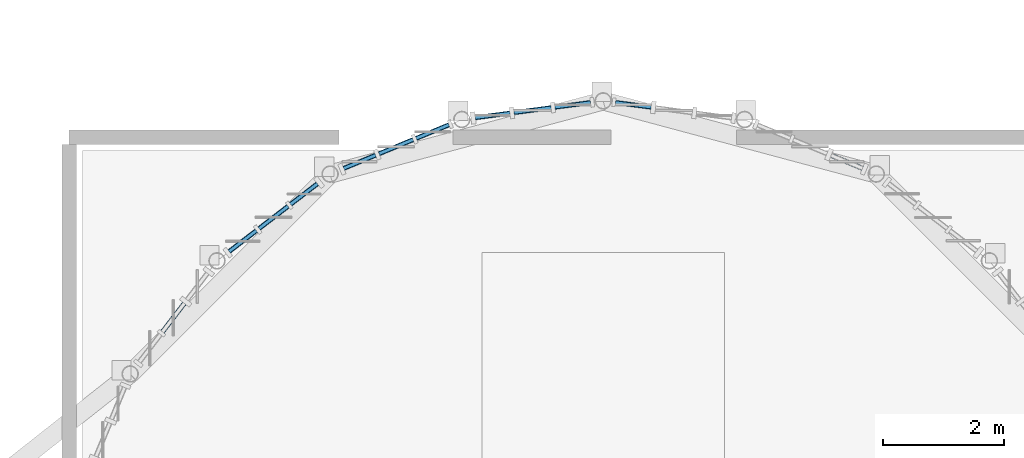
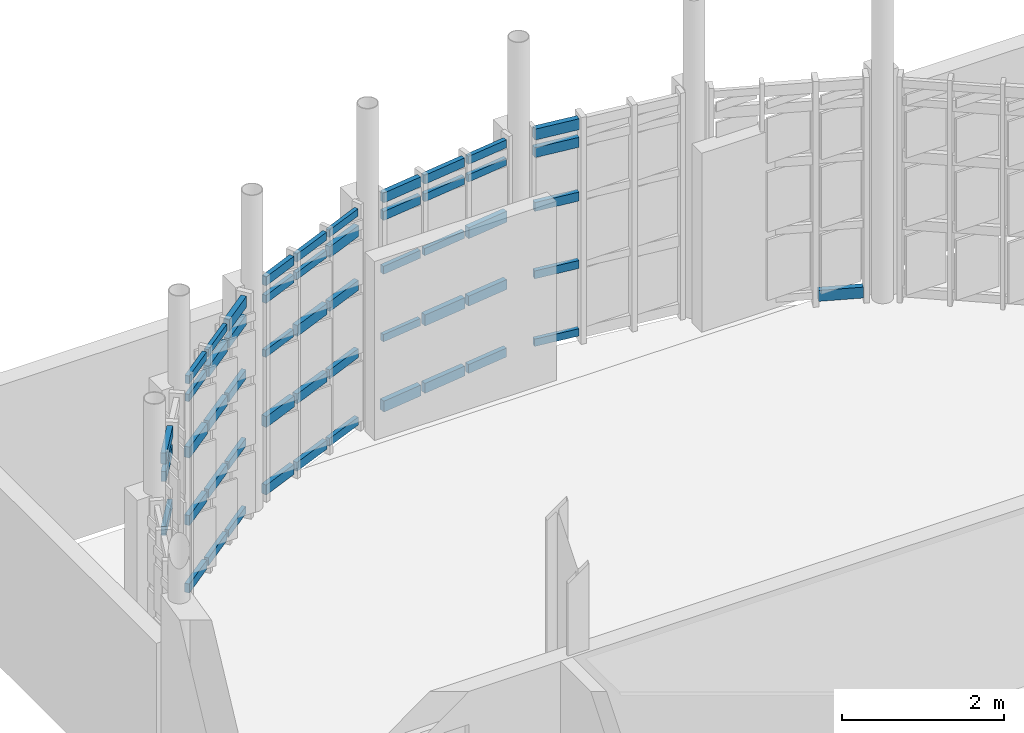
# One storey, part 66 of 128: 54 members, 6 elements without a shape of their own.
"""IFC4 building model written with IfcOpenShell, lengths in metres."""

import ifcopenshell
import ifcopenshell.guid

model = None  # the IFC model being written
_history = None  # IfcOwnerHistory: only IFC2X3 demands one
_inside = {}  # id of a spatial element -> (the spatial element, [elements in it])
_under = {}  # id of a project, library or spatial element -> (it, [spatial elements below it])
_declared = {}  # id of a project -> (the project, [libraries it declares])
_typed = {}  # id of a type object -> (the type object, [elements of that type])
_made_of = {}  # id of a material, layer set ... -> (it, [elements and type objects made of it])


def new_model(schema):
    """Start an empty IFC model of exactly this schema.

    Asked for "IFC4X3", IfcOpenShell would pick the latest addendum, in which some entities
    have other attributes; the version numbers below select the first issue.
    IFC2X3 requires an IfcOwnerHistory on every rooted entity: one is made here for all.
    """
    global model, _history
    if schema == "IFC4X3":
        model = ifcopenshell.file(schema_version=(4, 3, 0, 0))
    else:
        model = ifcopenshell.file(schema=schema)
    _inside.clear()
    _under.clear()
    _declared.clear()
    _typed.clear()
    _made_of.clear()
    _history = None
    if model.schema == "IFC2X3":
        org = make("IfcOrganization", Name="unknown")
        user = make(
            "IfcPersonAndOrganization",
            ThePerson=make("IfcPerson", FamilyName="unknown"),
            TheOrganization=org,
        )
        app = make(
            "IfcApplication",
            ApplicationDeveloper=org,
            Version="unknown",
            ApplicationFullName="unknown",
            ApplicationIdentifier="unknown",
        )
        _history = make(
            "IfcOwnerHistory",
            OwningUser=user,
            OwningApplication=app,
            ChangeAction="ADDED",
            CreationDate=0,
        )
    return model


def make(cls, **values):
    """One entity of the class cls with the attributes given. An attribute that is None is left unset."""
    return model.create_entity(
        cls, **{name: value for name, value in values.items() if value is not None}
    )


def rooted(cls, **values):
    """An entity with a GlobalId (a new one), such as an element, a storey or a relation."""
    return make(cls, GlobalId=ifcopenshell.guid.new(), OwnerHistory=_history, **values)


def si_unit(unit_type, name, prefix=None):
    """IfcSIUnit, for example si_unit("LENGTHUNIT", "METRE", prefix="MILLI")."""
    return make("IfcSIUnit", UnitType=unit_type, Prefix=prefix, Name=name)


def assignment(units):
    """IfcUnitAssignment: the units of a project."""
    return None if units is None else make("IfcUnitAssignment", Units=units)


def point(xyz):
    """IfcCartesianPoint."""
    return None if xyz is None else make("IfcCartesianPoint", Coordinates=xyz)


def direction(xyz):
    """IfcDirection."""
    return None if xyz is None else make("IfcDirection", DirectionRatios=xyz)


def frame(location, z_axis=None, x_axis=None):
    """IfcAxis2Placement3D, a coordinate frame: its origin and axes. An axis left out is left unset."""
    return make(
        "IfcAxis2Placement3D",
        Location=point(location),
        Axis=direction(z_axis),
        RefDirection=direction(x_axis),
    )


def frame_2d(location, x_axis=None):
    """IfcAxis2Placement2D, a coordinate frame in the plane: its origin and x axis."""
    return make(
        "IfcAxis2Placement2D", Location=point(location), RefDirection=direction(x_axis)
    )


def origin():
    """The frame at (0, 0, 0) with its axes left unset."""
    return frame((0.0, 0.0, 0.0))


def origin_2d():
    """The frame at (0, 0) in the plane with its x axis left unset."""
    return frame_2d((0.0, 0.0))


def place(relative_to, where):
    """IfcLocalPlacement: puts the frame where relative to a parent placement (None: the world)."""
    return make(
        "IfcLocalPlacement", PlacementRelTo=relative_to, RelativePlacement=where
    )


def context(
    kind, dimensions, precision=None, world=None, true_north=None, identifier=None
):
    """IfcGeometricRepresentationContext, for example the 3D "Model" context."""
    return make(
        "IfcGeometricRepresentationContext",
        ContextIdentifier=identifier,
        ContextType=kind,
        CoordinateSpaceDimension=dimensions,
        Precision=precision,
        WorldCoordinateSystem=world,
        TrueNorth=true_north,
    )


def subcontext(parent, identifier, kind, view, scale=None):
    """IfcGeometricRepresentationSubContext, for example "Body" below "Model"."""
    return make(
        "IfcGeometricRepresentationSubContext",
        ContextIdentifier=identifier,
        ContextType=kind,
        ParentContext=parent,
        TargetScale=scale,
        TargetView=view,
    )


def project(units=None, contexts=None):
    """IfcProject with its units and contexts."""
    return rooted(
        "IfcProject",
        Name="project",
        RepresentationContexts=contexts,
        UnitsInContext=assignment(units),
    )


def spatial(cls, under=None, at=None, **own):
    """A site, building, storey or space (cls), placed at a placement, below another one or the project."""
    s = rooted(cls, ObjectPlacement=at, **own)
    if under is not None:
        _under.setdefault(under.id(), (under, []))[1].append(s)
    return s


def profile(cls, at=None, kind="AREA", **sizes):
    """A parametric profile (cls). Its sizes go by their IFC names, for example OverallWidth=200.0."""
    return make(cls, ProfileType=kind, Position=at, **sizes)


def rectangle(**sizes):
    """IfcRectangleProfileDef."""
    return profile("IfcRectangleProfileDef", **sizes)


def extrude(swept, where, along, depth):
    """IfcExtrudedAreaSolid: the profile swept, set in the frame where, extruded along a direction by depth."""
    return make(
        "IfcExtrudedAreaSolid",
        SweptArea=swept,
        Position=where,
        ExtrudedDirection=direction(along),
        Depth=depth,
    )


def shape(context_of_items, identifier, shape_type, items):
    """IfcShapeRepresentation: the items that make up one representation, for example the "Body"."""
    return make(
        "IfcShapeRepresentation",
        ContextOfItems=context_of_items,
        RepresentationIdentifier=identifier,
        RepresentationType=shape_type,
        Items=items,
    )


def material(Name=None, Category=None):
    """IfcMaterial."""
    return make("IfcMaterial", Name=Name, Category=Category)


def material_profile(
    of_material, cross_section, Name=None, Category=None, Priority=None
):
    """IfcMaterialProfile: a cross section and its material."""
    return make(
        "IfcMaterialProfile",
        Name=Name,
        Material=of_material,
        Profile=cross_section,
        Priority=Priority,
        Category=Category,
    )


def profile_set(profiles, Name=None, composite=None):
    """IfcMaterialProfileSet."""
    return make(
        "IfcMaterialProfileSet",
        Name=Name,
        MaterialProfiles=profiles,
        CompositeProfile=composite,
    )


def made_of(thing, what):
    """Note that an element or type object is made of a material, layer set ...; save() writes the relation."""
    if what is not None:
        _made_of.setdefault(what.id(), (what, []))[1].append(thing)
    return thing


def type_object(cls, material=None, **own):
    """A type object (cls), such as IfcWallType, which elements share."""
    return made_of(rooted(cls, **own), material)


def element(
    cls,
    number,
    at=None,
    inside=None,
    cuts=None,
    type_object=None,
    material=None,
    context=None,
    identifier="Body",
    shape_type=None,
    held_by="IfcProductDefinitionShape",
    body=None,
    shapes=None,
    **own,
):
    """One element of the class cls, such as IfcWall. Its Tag is "e" and its number.

    at: its placement. inside: the storey or other place that contains it. cuts: it is an
    opening in that element (IfcRelVoidsElement). A single representation is given by context,
    identifier, shape_type and body (its items); several are given by shapes. held_by: the class
    of the entity that holds the representations. save() writes the other relations.
    """
    e = rooted(cls, Tag="e%d" % number, ObjectPlacement=at, **own)
    if body is not None:
        shapes = [shape(context, identifier, shape_type, body)]
    if shapes is not None:
        e.Representation = make(held_by, Representations=shapes)
    if inside is not None:
        _inside.setdefault(inside.id(), (inside, []))[1].append(e)
    if cuts is not None:
        rooted(
            "IfcRelVoidsElement", RelatingBuildingElement=cuts, RelatedOpeningElement=e
        )
    if type_object is not None:
        _typed.setdefault(type_object.id(), (type_object, []))[1].append(e)
    return made_of(e, material)


def aggregate(whole, parts):
    """IfcRelAggregates: a whole, such as a stair, and the parts it consists of."""
    return rooted("IfcRelAggregates", RelatingObject=whole, RelatedObjects=parts)


def save(model, path):
    """Write the relations noted so far, then the file.

    IfcRelAggregates (storeys below a building ...), IfcRelContainedInSpatialStructure (elements
    in a storey), IfcRelDefinesByType, IfcRelAssociatesMaterial and IfcRelDeclares: one each for
    every whole, place, type object, material and project.
    """
    for whole, parts in _under.values():
        aggregate(whole, parts)
    for where, things in _inside.values():
        rooted(
            "IfcRelContainedInSpatialStructure",
            RelatedElements=things,
            RelatingStructure=where,
        )
    for kind, things in _typed.values():
        rooted("IfcRelDefinesByType", RelatedObjects=things, RelatingType=kind)
    for what, things in _made_of.values():
        rooted("IfcRelAssociatesMaterial", RelatedObjects=things, RelatingMaterial=what)
    for by, libraries in _declared.values():
        rooted("IfcRelDeclares", RelatingContext=by, RelatedDefinitions=libraries)
    model.write(path)


model = new_model("IFC4")

# Units and contexts
model_context = context("Model", 3, precision=1e-05, world=origin(), true_north=direction((0.0, 1.0)))
body_context = subcontext(model_context, "Body", "Model", "MODEL_VIEW")
ifc_project = project(units=[si_unit("LENGTHUNIT", "METRE"), si_unit("AREAUNIT", "SQUARE_METRE"), si_unit("VOLUMEUNIT", "CUBIC_METRE"), si_unit("PLANEANGLEUNIT", "RADIAN"), si_unit("MASSUNIT", "GRAM", prefix="KILO")], contexts=[model_context])

# Site, building, storey
site_placement = place(None, origin())
site = spatial("IfcSite", under=ifc_project, at=site_placement, CompositionType="ELEMENT")
building_placement = place(site_placement, origin())
building = spatial("IfcBuilding", under=site, at=building_placement, Name="Serraforn Aerial Cableway Station", CompositionType="ELEMENT")
storey_placement = place(building_placement, frame((0.0, 0.0, 9.0)))
storey = spatial("IfcBuildingStorey", under=building, at=storey_placement, Name="L02", CompositionType="ELEMENT", Elevation=9.0)

# Curtain wall, members
ifc_material_1 = material(Name="Anodised bronze unitised curtain wall")
curtain_wall_type_1 = type_object("IfcCurtainWallType", Name="CW-SYS-7", PredefinedType="USERDEFINED", material=ifc_material_1)
curtain_wall_1_placement = place(storey_placement, origin())
curtain_wall_1 = element("IfcCurtainWall", 1, at=curtain_wall_1_placement, inside=storey, type_object=curtain_wall_type_1, Name="Unitised Curtain Wall CW-AP-L02-R4", ObjectType="UNITISED CURTAIN WALL", PredefinedType="USERDEFINED")
ifc_material_2 = material(Name="Anodised bronze extruded aluminium", Category="aluminium")
ifc_material_profile_1 = material_profile(ifc_material_2, rectangle(XDim=0.054931640625, YDim=0.110107421875, at=origin_2d()), Name="CW TRANSOM 55x110")
ifc_profile_set_1 = profile_set([ifc_material_profile_1], Name="Anodised bronze extruded aluminium")
member_type_1 = type_object("IfcMemberType", Name="CW-TRN-1", PredefinedType="USERDEFINED", material=ifc_profile_set_1)
member_1_placement = place(storey_placement, frame((54.391845703125, 49.634521484375, 0.13671875), z_axis=(-0.793500799504, -0.608569208214, 0.0), x_axis=(0.608569208214, -0.793500799504, 0.0)))
member_1 = element("IfcMember", 2, at=member_1_placement, type_object=member_type_1, Name="Curtain Wall Transom CW-AP-L02-R4-T1-1", ObjectType="TRANSOM", PredefinedType="USERDEFINED", context=body_context, shape_type="SweptSolid", body=[
    extrude(rectangle(XDim=0.054931640625, YDim=0.110107421875, at=origin_2d()), origin(), (0.0, 0.0, 1.0), 0.558349609375),
])
member_2_placement = place(storey_placement, frame((53.908203125, 49.263427734375, 3.283203125), z_axis=(-0.79334569595, -0.608771391178, 0.0), x_axis=(0.608771391178, -0.79334569595, 0.0)))
member_2 = element("IfcMember", 3, at=member_2_placement, type_object=member_type_1, Name="Curtain Wall Transom CW-AP-L02-R4-T2-5", ObjectType="TRANSOM", PredefinedType="USERDEFINED", context=body_context, shape_type="SweptSolid", body=[
    extrude(rectangle(XDim=0.054931640625, YDim=0.110107421875, at=origin_2d()), origin(), (0.0, 0.0, 1.0), 0.603271484375),
])
member_3_placement = place(storey_placement, frame((53.38525390625, 48.862060546875, 3.009521484375), z_axis=(-0.793377161526, -0.608730383313, 0.0), x_axis=(0.608730383313, -0.793377161526, 0.0)))
member_3 = element("IfcMember", 4, at=member_3_placement, type_object=member_type_1, Name="Curtain Wall Transom CW-AP-L02-R4-T3-4", ObjectType="TRANSOM", PredefinedType="USERDEFINED", context=body_context, shape_type="SweptSolid", body=[
    extrude(rectangle(XDim=0.054931640625, YDim=0.110107421875, at=origin_2d()), origin(), (0.0, 0.0, 1.0), 0.56591796875),
])

curtain_wall_type_2 = type_object("IfcCurtainWallType", Name="CW-SYS-8", PredefinedType="USERDEFINED", material=ifc_material_1)
curtain_wall_2_placement = place(storey_placement, origin())
curtain_wall_2 = element("IfcCurtainWall", 5, at=curtain_wall_2_placement, inside=storey, type_object=curtain_wall_type_2, Name="Unitised Curtain Wall CW-AP-L02-R5", ObjectType="UNITISED CURTAIN WALL", PredefinedType="USERDEFINED")
member_4_placement = place(storey_placement, frame((56.55859375, 50.60546875, 3.283203125), z_axis=(-0.923915029187, -0.382597724564, 0.0), x_axis=(0.382597724564, -0.923915029187, 0.0)))
member_4 = element("IfcMember", 6, at=member_4_placement, type_object=member_type_1, Name="Curtain Wall Transom CW-AP-L02-R5-T1-5", ObjectType="TRANSOM", PredefinedType="USERDEFINED", context=body_context, shape_type="SweptSolid", body=[
    extrude(rectangle(XDim=0.054931640625, YDim=0.110107421875, at=origin_2d()), origin(), (0.0, 0.0, 1.0), 0.58447265625),
])
member_5_placement = place(storey_placement, frame((55.966796875, 50.3603515625, 3.009521484375), z_axis=(-0.923943309717, -0.382529424267, 0.0), x_axis=(0.382529424267, -0.923943309717, 0.0)))
member_5 = element("IfcMember", 7, at=member_5_placement, type_object=member_type_1, Name="Curtain Wall Transom CW-AP-L02-R5-T2-4", ObjectType="TRANSOM", PredefinedType="USERDEFINED", context=body_context, shape_type="SweptSolid", body=[
    extrude(rectangle(XDim=0.054931640625, YDim=0.110107421875, at=origin_2d()), origin(), (0.0, 0.0, 1.0), 0.60693359375),
])
member_6_placement = place(storey_placement, frame((55.349609375, 50.104736328125, 2.188720703125), z_axis=(-0.923864661962, -0.382719331074, 0.0), x_axis=(0.382719331074, -0.923864661962, 0.0)))
member_6 = element("IfcMember", 8, at=member_6_placement, type_object=member_type_1, Name="Curtain Wall Transom CW-AP-L02-R5-T3-3", ObjectType="TRANSOM", PredefinedType="USERDEFINED", context=body_context, shape_type="SweptSolid", body=[
    extrude(rectangle(XDim=0.054931640625, YDim=0.110107421875, at=origin_2d()), origin(), (0.0, 0.0, 1.0), 0.567138671875),
])

curtain_wall_type_3 = type_object("IfcCurtainWallType", Name="CW-SYS-9", PredefinedType="USERDEFINED", material=ifc_material_1)
curtain_wall_3_placement = place(storey_placement, origin())
curtain_wall_3 = element("IfcCurtainWall", 9, at=curtain_wall_3_placement, inside=storey, type_object=curtain_wall_type_3, Name="Unitised Curtain Wall CW-AP-L02-R6", ObjectType="UNITISED CURTAIN WALL", PredefinedType="USERDEFINED")
member_7_placement = place(storey_placement, frame((58.892578125, 50.97265625, 3.009521484375), z_axis=(-0.991473871921, -0.130305645688, 0.0), x_axis=(0.130305645688, -0.991473871921, 0.0)))
member_7 = element("IfcMember", 10, at=member_7_placement, type_object=member_type_1, Name="Curtain Wall Transom CW-AP-L02-R6-T1-4", ObjectType="TRANSOM", PredefinedType="USERDEFINED", context=body_context, shape_type="SweptSolid", body=[
    extrude(rectangle(XDim=0.054931640625, YDim=0.110107421875, at=origin_2d()), origin(), (0.0, 0.0, 1.0), 0.593994140625),
])
member_8_placement = place(storey_placement, frame((58.243408203125, 50.88720703125, 2.188720703125), z_axis=(-0.991436829887, -0.130587182926, 0.0), x_axis=(0.130587182926, -0.991436829887, 0.0)))
member_8 = element("IfcMember", 11, at=member_8_placement, type_object=member_type_1, Name="Curtain Wall Transom CW-AP-L02-R6-T2-3", ObjectType="TRANSOM", PredefinedType="USERDEFINED", context=body_context, shape_type="SweptSolid", body=[
    extrude(rectangle(XDim=0.054931640625, YDim=0.110107421875, at=origin_2d()), origin(), (0.0, 0.0, 1.0), 0.618896484375),
])
member_9_placement = place(storey_placement, frame((57.564208984375, 50.7978515625, 1.162841796875), z_axis=(-0.991393622849, -0.130914798915, 0.0), x_axis=(0.130914798915, -0.991393622849, 0.0)))
member_9 = element("IfcMember", 12, at=member_9_placement, type_object=member_type_1, Name="Curtain Wall Transom CW-AP-L02-R6-T3-2", ObjectType="TRANSOM", PredefinedType="USERDEFINED", context=body_context, shape_type="SweptSolid", body=[
    extrude(rectangle(XDim=0.054931640625, YDim=0.110107421875, at=origin_2d()), origin(), (0.0, 0.0, 1.0), 0.576171875),
])

# Curtain wall, member
curtain_wall_type_4 = type_object("IfcCurtainWallType", Name="CW-SYS-10", PredefinedType="USERDEFINED", material=ifc_material_1)
curtain_wall_4_placement = place(storey_placement, origin())
curtain_wall_4 = element("IfcCurtainWall", 13, at=curtain_wall_4_placement, inside=storey, type_object=curtain_wall_type_4, Name="Unitised Curtain Wall CW-AP-L02-R7", ObjectType="UNITISED CURTAIN WALL", PredefinedType="USERDEFINED")
member_10_placement = place(storey_placement, frame((59.89111328125, 50.895751953125, 0.13671875), z_axis=(-0.991413658971, 0.130762979491, 0.0), x_axis=(-0.130762979491, -0.991413658971, 0.0)))
member_10 = element("IfcMember", 14, at=member_10_placement, type_object=member_type_1, Name="Curtain Wall Transom CW-AP-L02-R7-T3-1", ObjectType="TRANSOM", PredefinedType="USERDEFINED", context=body_context, shape_type="SweptSolid", body=[
    extrude(rectangle(XDim=0.054931640625, YDim=0.110107421875, at=origin_2d()), origin(), (0.0, 0.0, 1.0), 0.59375),
])

# Member
ifc_material_profile_2 = material_profile(ifc_material_2, rectangle(XDim=0.06005859375, YDim=0.1201171875, at=origin_2d()), Name="CW TRANSOM 60x120")
ifc_profile_set_2 = profile_set([ifc_material_profile_2], Name="Anodised bronze extruded aluminium")
member_type_2 = type_object("IfcMemberType", Name="CW-TRN-2", PredefinedType="USERDEFINED", material=ifc_profile_set_2)
member_11_placement = place(storey_placement, frame((54.391845703125, 49.634521484375, 1.162841796875), z_axis=(-0.793500799504, -0.608569208214, 0.0), x_axis=(0.608569208214, -0.793500799504, 0.0)))
member_11 = element("IfcMember", 15, at=member_11_placement, type_object=member_type_2, Name="Curtain Wall Transom CW-AP-L02-R4-T1-2", ObjectType="TRANSOM", PredefinedType="USERDEFINED", context=body_context, shape_type="SweptSolid", body=[
    extrude(rectangle(XDim=0.06005859375, YDim=0.1201171875, at=origin_2d()), origin(), (0.0, 0.0, 1.0), 0.558349609375),
])

member_12_placement = place(storey_placement, frame((53.908203125, 49.263427734375, 0.13671875), z_axis=(-0.79334569595, -0.608771391178, 0.0), x_axis=(0.608771391178, -0.79334569595, 0.0)))
member_12 = element("IfcMember", 16, at=member_12_placement, type_object=member_type_2, Name="Curtain Wall Transom CW-AP-L02-R4-T2-1", ObjectType="TRANSOM", PredefinedType="USERDEFINED", context=body_context, shape_type="SweptSolid", body=[
    extrude(rectangle(XDim=0.06005859375, YDim=0.1201171875, at=origin_2d()), origin(), (0.0, 0.0, 1.0), 0.603271484375),
])

member_13_placement = place(storey_placement, frame((53.38525390625, 48.862060546875, 3.283203125), z_axis=(-0.793377161526, -0.608730383313, 0.0), x_axis=(0.608730383313, -0.793377161526, 0.0)))
member_13 = element("IfcMember", 17, at=member_13_placement, type_object=member_type_2, Name="Curtain Wall Transom CW-AP-L02-R4-T3-5", ObjectType="TRANSOM", PredefinedType="USERDEFINED", context=body_context, shape_type="SweptSolid", body=[
    extrude(rectangle(XDim=0.06005859375, YDim=0.1201171875, at=origin_2d()), origin(), (0.0, 0.0, 1.0), 0.56591796875),
])

member_14_placement = place(storey_placement, frame((56.55859375, 50.60546875, 0.13671875), z_axis=(-0.923915029187, -0.382597724564, 0.0), x_axis=(0.382597724564, -0.923915029187, 0.0)))
member_14 = element("IfcMember", 18, at=member_14_placement, type_object=member_type_2, Name="Curtain Wall Transom CW-AP-L02-R5-T1-1", ObjectType="TRANSOM", PredefinedType="USERDEFINED", context=body_context, shape_type="SweptSolid", body=[
    extrude(rectangle(XDim=0.06005859375, YDim=0.1201171875, at=origin_2d()), origin(), (0.0, 0.0, 1.0), 0.58447265625),
])

member_15_placement = place(storey_placement, frame((55.966796875, 50.3603515625, 3.283203125), z_axis=(-0.923943309717, -0.382529424267, 0.0), x_axis=(0.382529424267, -0.923943309717, 0.0)))
member_15 = element("IfcMember", 19, at=member_15_placement, type_object=member_type_2, Name="Curtain Wall Transom CW-AP-L02-R5-T2-5", ObjectType="TRANSOM", PredefinedType="USERDEFINED", context=body_context, shape_type="SweptSolid", body=[
    extrude(rectangle(XDim=0.06005859375, YDim=0.1201171875, at=origin_2d()), origin(), (0.0, 0.0, 1.0), 0.60693359375),
])

member_16_placement = place(storey_placement, frame((55.349609375, 50.104736328125, 3.009521484375), z_axis=(-0.923864661962, -0.382719331074, 0.0), x_axis=(0.382719331074, -0.923864661962, 0.0)))
member_16 = element("IfcMember", 20, at=member_16_placement, type_object=member_type_2, Name="Curtain Wall Transom CW-AP-L02-R5-T3-4", ObjectType="TRANSOM", PredefinedType="USERDEFINED", context=body_context, shape_type="SweptSolid", body=[
    extrude(rectangle(XDim=0.06005859375, YDim=0.1201171875, at=origin_2d()), origin(), (0.0, 0.0, 1.0), 0.567138671875),
])

member_17_placement = place(storey_placement, frame((58.892578125, 50.97265625, 3.283203125), z_axis=(-0.991473871921, -0.130305645688, 0.0), x_axis=(0.130305645688, -0.991473871921, 0.0)))
member_17 = element("IfcMember", 21, at=member_17_placement, type_object=member_type_2, Name="Curtain Wall Transom CW-AP-L02-R6-T1-5", ObjectType="TRANSOM", PredefinedType="USERDEFINED", context=body_context, shape_type="SweptSolid", body=[
    extrude(rectangle(XDim=0.06005859375, YDim=0.1201171875, at=origin_2d()), origin(), (0.0, 0.0, 1.0), 0.593994140625),
])

member_18_placement = place(storey_placement, frame((58.243408203125, 50.88720703125, 3.009521484375), z_axis=(-0.991436829887, -0.130587182926, 0.0), x_axis=(0.130587182926, -0.991436829887, 0.0)))
member_18 = element("IfcMember", 22, at=member_18_placement, type_object=member_type_2, Name="Curtain Wall Transom CW-AP-L02-R6-T2-4", ObjectType="TRANSOM", PredefinedType="USERDEFINED", context=body_context, shape_type="SweptSolid", body=[
    extrude(rectangle(XDim=0.06005859375, YDim=0.1201171875, at=origin_2d()), origin(), (0.0, 0.0, 1.0), 0.618896484375),
])

member_19_placement = place(storey_placement, frame((57.564208984375, 50.7978515625, 2.188720703125), z_axis=(-0.991393622849, -0.130914798915, 0.0), x_axis=(0.130914798915, -0.991393622849, 0.0)))
member_19 = element("IfcMember", 23, at=member_19_placement, type_object=member_type_2, Name="Curtain Wall Transom CW-AP-L02-R6-T3-3", ObjectType="TRANSOM", PredefinedType="USERDEFINED", context=body_context, shape_type="SweptSolid", body=[
    extrude(rectangle(XDim=0.06005859375, YDim=0.1201171875, at=origin_2d()), origin(), (0.0, 0.0, 1.0), 0.576171875),
])

member_20_placement = place(storey_placement, frame((59.89111328125, 50.895751953125, 1.162841796875), z_axis=(-0.991413658971, 0.130762979491, 0.0), x_axis=(-0.130762979491, -0.991413658971, 0.0)))
member_20 = element("IfcMember", 24, at=member_20_placement, type_object=member_type_2, Name="Curtain Wall Transom CW-AP-L02-R7-T3-2", ObjectType="TRANSOM", PredefinedType="USERDEFINED", context=body_context, shape_type="SweptSolid", body=[
    extrude(rectangle(XDim=0.06005859375, YDim=0.1201171875, at=origin_2d()), origin(), (0.0, 0.0, 1.0), 0.59375),
])

# Curtain wall, member
curtain_wall_type_5 = type_object("IfcCurtainWallType", Name="CW-SYS-6", PredefinedType="USERDEFINED", material=ifc_material_1)
curtain_wall_5_placement = place(storey_placement, origin())
curtain_wall_5 = element("IfcCurtainWall", 25, at=curtain_wall_5_placement, inside=storey, type_object=curtain_wall_type_5, Name="Unitised Curtain Wall CW-AP-L02-R3", ObjectType="UNITISED CURTAIN WALL", PredefinedType="USERDEFINED")
ifc_material_profile_3 = material_profile(ifc_material_2, rectangle(XDim=0.06494140625, YDim=0.135009765625, at=origin_2d()), Name="CW TRANSOM 65x135")
ifc_profile_set_3 = profile_set([ifc_material_profile_3], Name="Anodised bronze extruded aluminium")
member_type_3 = type_object("IfcMemberType", Name="CW-TRN-3", PredefinedType="USERDEFINED", material=ifc_profile_set_3)
member_21_placement = place(storey_placement, frame((52.19921875, 47.664306640625, 2.188720703125), z_axis=(-0.608878752657, -0.793263300905, 0.0), x_axis=(0.793263300905, -0.608878752657, 0.0)))
member_21 = element("IfcMember", 26, at=member_21_placement, type_object=member_type_3, Name="Curtain Wall Transom CW-AP-L02-R3-T2-3", ObjectType="TRANSOM", PredefinedType="USERDEFINED", context=body_context, shape_type="SweptSolid", body=[
    extrude(rectangle(XDim=0.06494140625, YDim=0.135009765625, at=origin_2d()), origin(), (0.0, 0.0, 1.0), 0.595947265625),
])

# Member
member_22_placement = place(storey_placement, frame((54.391845703125, 49.634521484375, 2.188720703125), z_axis=(-0.793500799504, -0.608569208214, 0.0), x_axis=(0.608569208214, -0.793500799504, 0.0)))
member_22 = element("IfcMember", 27, at=member_22_placement, type_object=member_type_3, Name="Curtain Wall Transom CW-AP-L02-R4-T1-3", ObjectType="TRANSOM", PredefinedType="USERDEFINED", context=body_context, shape_type="SweptSolid", body=[
    extrude(rectangle(XDim=0.06494140625, YDim=0.135009765625, at=origin_2d()), origin(), (0.0, 0.0, 1.0), 0.558349609375),
])

member_23_placement = place(storey_placement, frame((53.908203125, 49.263427734375, 1.162841796875), z_axis=(-0.79334569595, -0.608771391178, 0.0), x_axis=(0.608771391178, -0.79334569595, 0.0)))
member_23 = element("IfcMember", 28, at=member_23_placement, type_object=member_type_3, Name="Curtain Wall Transom CW-AP-L02-R4-T2-2", ObjectType="TRANSOM", PredefinedType="USERDEFINED", context=body_context, shape_type="SweptSolid", body=[
    extrude(rectangle(XDim=0.06494140625, YDim=0.135009765625, at=origin_2d()), origin(), (0.0, 0.0, 1.0), 0.603271484375),
])

member_24_placement = place(storey_placement, frame((53.38525390625, 48.862060546875, 0.13671875), z_axis=(-0.793377161526, -0.608730383313, 0.0), x_axis=(0.608730383313, -0.793377161526, 0.0)))
member_24 = element("IfcMember", 29, at=member_24_placement, type_object=member_type_3, Name="Curtain Wall Transom CW-AP-L02-R4-T3-1", ObjectType="TRANSOM", PredefinedType="USERDEFINED", context=body_context, shape_type="SweptSolid", body=[
    extrude(rectangle(XDim=0.06494140625, YDim=0.135009765625, at=origin_2d()), origin(), (0.0, 0.0, 1.0), 0.56591796875),
])

member_25_placement = place(storey_placement, frame((56.55859375, 50.60546875, 1.162841796875), z_axis=(-0.923915029187, -0.382597724564, 0.0), x_axis=(0.382597724564, -0.923915029187, 0.0)))
member_25 = element("IfcMember", 30, at=member_25_placement, type_object=member_type_3, Name="Curtain Wall Transom CW-AP-L02-R5-T1-2", ObjectType="TRANSOM", PredefinedType="USERDEFINED", context=body_context, shape_type="SweptSolid", body=[
    extrude(rectangle(XDim=0.06494140625, YDim=0.135009765625, at=origin_2d()), origin(), (0.0, 0.0, 1.0), 0.58447265625),
])

member_26_placement = place(storey_placement, frame((55.966796875, 50.3603515625, 0.13671875), z_axis=(-0.923943309717, -0.382529424267, 0.0), x_axis=(0.382529424267, -0.923943309717, 0.0)))
member_26 = element("IfcMember", 31, at=member_26_placement, type_object=member_type_3, Name="Curtain Wall Transom CW-AP-L02-R5-T2-1", ObjectType="TRANSOM", PredefinedType="USERDEFINED", context=body_context, shape_type="SweptSolid", body=[
    extrude(rectangle(XDim=0.06494140625, YDim=0.135009765625, at=origin_2d()), origin(), (0.0, 0.0, 1.0), 0.60693359375),
])

member_27_placement = place(storey_placement, frame((55.349609375, 50.104736328125, 3.283203125), z_axis=(-0.923864661962, -0.382719331074, 0.0), x_axis=(0.382719331074, -0.923864661962, 0.0)))
member_27 = element("IfcMember", 32, at=member_27_placement, type_object=member_type_3, Name="Curtain Wall Transom CW-AP-L02-R5-T3-5", ObjectType="TRANSOM", PredefinedType="USERDEFINED", context=body_context, shape_type="SweptSolid", body=[
    extrude(rectangle(XDim=0.06494140625, YDim=0.135009765625, at=origin_2d()), origin(), (0.0, 0.0, 1.0), 0.567138671875),
])

member_28_placement = place(storey_placement, frame((58.892578125, 50.97265625, 0.13671875), z_axis=(-0.991473871921, -0.130305645688, 0.0), x_axis=(0.130305645688, -0.991473871921, 0.0)))
member_28 = element("IfcMember", 33, at=member_28_placement, type_object=member_type_3, Name="Curtain Wall Transom CW-AP-L02-R6-T1-1", ObjectType="TRANSOM", PredefinedType="USERDEFINED", context=body_context, shape_type="SweptSolid", body=[
    extrude(rectangle(XDim=0.06494140625, YDim=0.135009765625, at=origin_2d()), origin(), (0.0, 0.0, 1.0), 0.593994140625),
])

member_29_placement = place(storey_placement, frame((58.243408203125, 50.88720703125, 3.283203125), z_axis=(-0.991436829887, -0.130587182926, 0.0), x_axis=(0.130587182926, -0.991436829887, 0.0)))
member_29 = element("IfcMember", 34, at=member_29_placement, type_object=member_type_3, Name="Curtain Wall Transom CW-AP-L02-R6-T2-5", ObjectType="TRANSOM", PredefinedType="USERDEFINED", context=body_context, shape_type="SweptSolid", body=[
    extrude(rectangle(XDim=0.06494140625, YDim=0.135009765625, at=origin_2d()), origin(), (0.0, 0.0, 1.0), 0.618896484375),
])

member_30_placement = place(storey_placement, frame((57.564208984375, 50.7978515625, 3.009521484375), z_axis=(-0.991393622849, -0.130914798915, 0.0), x_axis=(0.130914798915, -0.991393622849, 0.0)))
member_30 = element("IfcMember", 35, at=member_30_placement, type_object=member_type_3, Name="Curtain Wall Transom CW-AP-L02-R6-T3-4", ObjectType="TRANSOM", PredefinedType="USERDEFINED", context=body_context, shape_type="SweptSolid", body=[
    extrude(rectangle(XDim=0.06494140625, YDim=0.135009765625, at=origin_2d()), origin(), (0.0, 0.0, 1.0), 0.576171875),
])

member_31_placement = place(storey_placement, frame((59.89111328125, 50.895751953125, 2.188720703125), z_axis=(-0.991413658971, 0.130762979491, 0.0), x_axis=(-0.130762979491, -0.991413658971, 0.0)))
member_31 = element("IfcMember", 36, at=member_31_placement, type_object=member_type_3, Name="Curtain Wall Transom CW-AP-L02-R7-T3-3", ObjectType="TRANSOM", PredefinedType="USERDEFINED", context=body_context, shape_type="SweptSolid", body=[
    extrude(rectangle(XDim=0.06494140625, YDim=0.135009765625, at=origin_2d()), origin(), (0.0, 0.0, 1.0), 0.59375),
])

ifc_material_profile_4 = material_profile(ifc_material_2, rectangle(XDim=0.070068359375, YDim=0.14990234375, at=origin_2d()), Name="CW TRANSOM 70x150")
ifc_profile_set_4 = profile_set([ifc_material_profile_4], Name="Anodised bronze extruded aluminium")
member_type_4 = type_object("IfcMemberType", Name="CW-TRN-4", PredefinedType="USERDEFINED", material=ifc_profile_set_4)
member_32_placement = place(storey_placement, frame((52.19921875, 47.664306640625, 3.009521484375), z_axis=(-0.608878752657, -0.793263300905, 0.0), x_axis=(0.793263300905, -0.608878752657, 0.0)))
member_32 = element("IfcMember", 37, at=member_32_placement, type_object=member_type_4, Name="Curtain Wall Transom CW-AP-L02-R3-T2-4", ObjectType="TRANSOM", PredefinedType="USERDEFINED", context=body_context, shape_type="SweptSolid", body=[
    extrude(rectangle(XDim=0.070068359375, YDim=0.14990234375, at=origin_2d()), origin(), (0.0, 0.0, 1.0), 0.595947265625),
])

member_33_placement = place(storey_placement, frame((54.391845703125, 49.634521484375, 3.009521484375), z_axis=(-0.793500799504, -0.608569208214, 0.0), x_axis=(0.608569208214, -0.793500799504, 0.0)))
member_33 = element("IfcMember", 38, at=member_33_placement, type_object=member_type_4, Name="Curtain Wall Transom CW-AP-L02-R4-T1-4", ObjectType="TRANSOM", PredefinedType="USERDEFINED", context=body_context, shape_type="SweptSolid", body=[
    extrude(rectangle(XDim=0.070068359375, YDim=0.14990234375, at=origin_2d()), origin(), (0.0, 0.0, 1.0), 0.558349609375),
])

member_34_placement = place(storey_placement, frame((53.908203125, 49.263427734375, 2.188720703125), z_axis=(-0.79334569595, -0.608771391178, 0.0), x_axis=(0.608771391178, -0.79334569595, 0.0)))
member_34 = element("IfcMember", 39, at=member_34_placement, type_object=member_type_4, Name="Curtain Wall Transom CW-AP-L02-R4-T2-3", ObjectType="TRANSOM", PredefinedType="USERDEFINED", context=body_context, shape_type="SweptSolid", body=[
    extrude(rectangle(XDim=0.070068359375, YDim=0.14990234375, at=origin_2d()), origin(), (0.0, 0.0, 1.0), 0.603271484375),
])

member_35_placement = place(storey_placement, frame((53.38525390625, 48.862060546875, 1.162841796875), z_axis=(-0.793377161526, -0.608730383313, 0.0), x_axis=(0.608730383313, -0.793377161526, 0.0)))
member_35 = element("IfcMember", 40, at=member_35_placement, type_object=member_type_4, Name="Curtain Wall Transom CW-AP-L02-R4-T3-2", ObjectType="TRANSOM", PredefinedType="USERDEFINED", context=body_context, shape_type="SweptSolid", body=[
    extrude(rectangle(XDim=0.070068359375, YDim=0.14990234375, at=origin_2d()), origin(), (0.0, 0.0, 1.0), 0.56591796875),
])

member_36_placement = place(storey_placement, frame((56.55859375, 50.60546875, 2.188720703125), z_axis=(-0.923915029187, -0.382597724564, 0.0), x_axis=(0.382597724564, -0.923915029187, 0.0)))
member_36 = element("IfcMember", 41, at=member_36_placement, type_object=member_type_4, Name="Curtain Wall Transom CW-AP-L02-R5-T1-3", ObjectType="TRANSOM", PredefinedType="USERDEFINED", context=body_context, shape_type="SweptSolid", body=[
    extrude(rectangle(XDim=0.070068359375, YDim=0.14990234375, at=origin_2d()), origin(), (0.0, 0.0, 1.0), 0.58447265625),
])

member_37_placement = place(storey_placement, frame((55.966796875, 50.3603515625, 1.162841796875), z_axis=(-0.923943309717, -0.382529424267, 0.0), x_axis=(0.382529424267, -0.923943309717, 0.0)))
member_37 = element("IfcMember", 42, at=member_37_placement, type_object=member_type_4, Name="Curtain Wall Transom CW-AP-L02-R5-T2-2", ObjectType="TRANSOM", PredefinedType="USERDEFINED", context=body_context, shape_type="SweptSolid", body=[
    extrude(rectangle(XDim=0.070068359375, YDim=0.14990234375, at=origin_2d()), origin(), (0.0, 0.0, 1.0), 0.60693359375),
])

member_38_placement = place(storey_placement, frame((55.349609375, 50.104736328125, 0.13671875), z_axis=(-0.923864661962, -0.382719331074, 0.0), x_axis=(0.382719331074, -0.923864661962, 0.0)))
member_38 = element("IfcMember", 43, at=member_38_placement, type_object=member_type_4, Name="Curtain Wall Transom CW-AP-L02-R5-T3-1", ObjectType="TRANSOM", PredefinedType="USERDEFINED", context=body_context, shape_type="SweptSolid", body=[
    extrude(rectangle(XDim=0.070068359375, YDim=0.14990234375, at=origin_2d()), origin(), (0.0, 0.0, 1.0), 0.567138671875),
])

member_39_placement = place(storey_placement, frame((58.892578125, 50.97265625, 1.162841796875), z_axis=(-0.991473871921, -0.130305645688, 0.0), x_axis=(0.130305645688, -0.991473871921, 0.0)))
member_39 = element("IfcMember", 44, at=member_39_placement, type_object=member_type_4, Name="Curtain Wall Transom CW-AP-L02-R6-T1-2", ObjectType="TRANSOM", PredefinedType="USERDEFINED", context=body_context, shape_type="SweptSolid", body=[
    extrude(rectangle(XDim=0.070068359375, YDim=0.14990234375, at=origin_2d()), origin(), (0.0, 0.0, 1.0), 0.593994140625),
])

member_40_placement = place(storey_placement, frame((58.243408203125, 50.88720703125, 0.13671875), z_axis=(-0.991436829887, -0.130587182926, 0.0), x_axis=(0.130587182926, -0.991436829887, 0.0)))
member_40 = element("IfcMember", 45, at=member_40_placement, type_object=member_type_4, Name="Curtain Wall Transom CW-AP-L02-R6-T2-1", ObjectType="TRANSOM", PredefinedType="USERDEFINED", context=body_context, shape_type="SweptSolid", body=[
    extrude(rectangle(XDim=0.070068359375, YDim=0.14990234375, at=origin_2d()), origin(), (0.0, 0.0, 1.0), 0.618896484375),
])

member_41_placement = place(storey_placement, frame((57.564208984375, 50.7978515625, 3.283203125), z_axis=(-0.991393622849, -0.130914798915, 0.0), x_axis=(0.130914798915, -0.991393622849, 0.0)))
member_41 = element("IfcMember", 46, at=member_41_placement, type_object=member_type_4, Name="Curtain Wall Transom CW-AP-L02-R6-T3-5", ObjectType="TRANSOM", PredefinedType="USERDEFINED", context=body_context, shape_type="SweptSolid", body=[
    extrude(rectangle(XDim=0.070068359375, YDim=0.14990234375, at=origin_2d()), origin(), (0.0, 0.0, 1.0), 0.576171875),
])

member_42_placement = place(storey_placement, frame((59.89111328125, 50.895751953125, 3.009521484375), z_axis=(-0.991413658971, 0.130762979491, 0.0), x_axis=(-0.130762979491, -0.991413658971, 0.0)))
member_42 = element("IfcMember", 47, at=member_42_placement, type_object=member_type_4, Name="Curtain Wall Transom CW-AP-L02-R7-T3-4", ObjectType="TRANSOM", PredefinedType="USERDEFINED", context=body_context, shape_type="SweptSolid", body=[
    extrude(rectangle(XDim=0.070068359375, YDim=0.14990234375, at=origin_2d()), origin(), (0.0, 0.0, 1.0), 0.59375),
])

ifc_material_profile_5 = material_profile(ifc_material_2, rectangle(XDim=0.074951171875, YDim=0.1650390625, at=origin_2d()), Name="CW TRANSOM 75x165")
ifc_profile_set_5 = profile_set([ifc_material_profile_5], Name="Anodised bronze extruded aluminium")
member_type_5 = type_object("IfcMemberType", Name="CW-TRN-5", PredefinedType="USERDEFINED", material=ifc_profile_set_5)
member_43_placement = place(storey_placement, frame((52.19921875, 47.664306640625, 3.283203125), z_axis=(-0.608878752657, -0.793263300905, 0.0), x_axis=(0.793263300905, -0.608878752657, 0.0)))
member_43 = element("IfcMember", 48, at=member_43_placement, type_object=member_type_5, Name="Curtain Wall Transom CW-AP-L02-R3-T2-5", ObjectType="TRANSOM", PredefinedType="USERDEFINED", context=body_context, shape_type="SweptSolid", body=[
    extrude(rectangle(XDim=0.074951171875, YDim=0.1650390625, at=origin_2d()), origin(), (0.0, 0.0, 1.0), 0.595947265625),
])

aggregate(curtain_wall_5, [member_21, member_32, member_43])

member_44_placement = place(storey_placement, frame((54.391845703125, 49.634521484375, 3.283203125), z_axis=(-0.793500799504, -0.608569208214, 0.0), x_axis=(0.608569208214, -0.793500799504, 0.0)))
member_44 = element("IfcMember", 49, at=member_44_placement, type_object=member_type_5, Name="Curtain Wall Transom CW-AP-L02-R4-T1-5", ObjectType="TRANSOM", PredefinedType="USERDEFINED", context=body_context, shape_type="SweptSolid", body=[
    extrude(rectangle(XDim=0.074951171875, YDim=0.1650390625, at=origin_2d()), origin(), (0.0, 0.0, 1.0), 0.558349609375),
])

member_45_placement = place(storey_placement, frame((53.908203125, 49.263427734375, 3.009521484375), z_axis=(-0.79334569595, -0.608771391178, 0.0), x_axis=(0.608771391178, -0.79334569595, 0.0)))
member_45 = element("IfcMember", 50, at=member_45_placement, type_object=member_type_5, Name="Curtain Wall Transom CW-AP-L02-R4-T2-4", ObjectType="TRANSOM", PredefinedType="USERDEFINED", context=body_context, shape_type="SweptSolid", body=[
    extrude(rectangle(XDim=0.074951171875, YDim=0.1650390625, at=origin_2d()), origin(), (0.0, 0.0, 1.0), 0.603271484375),
])

member_46_placement = place(storey_placement, frame((53.38525390625, 48.862060546875, 2.188720703125), z_axis=(-0.793377161526, -0.608730383313, 0.0), x_axis=(0.608730383313, -0.793377161526, 0.0)))
member_46 = element("IfcMember", 51, at=member_46_placement, type_object=member_type_5, Name="Curtain Wall Transom CW-AP-L02-R4-T3-3", ObjectType="TRANSOM", PredefinedType="USERDEFINED", context=body_context, shape_type="SweptSolid", body=[
    extrude(rectangle(XDim=0.074951171875, YDim=0.1650390625, at=origin_2d()), origin(), (0.0, 0.0, 1.0), 0.56591796875),
])

aggregate(curtain_wall_1, [member_1, member_11, member_22, member_33, member_44, member_12, member_23, member_34, member_45, member_2, member_24, member_35, member_46, member_3, member_13])

member_47_placement = place(storey_placement, frame((56.55859375, 50.60546875, 3.009521484375), z_axis=(-0.923915029187, -0.382597724564, 0.0), x_axis=(0.382597724564, -0.923915029187, 0.0)))
member_47 = element("IfcMember", 52, at=member_47_placement, type_object=member_type_5, Name="Curtain Wall Transom CW-AP-L02-R5-T1-4", ObjectType="TRANSOM", PredefinedType="USERDEFINED", context=body_context, shape_type="SweptSolid", body=[
    extrude(rectangle(XDim=0.074951171875, YDim=0.1650390625, at=origin_2d()), origin(), (0.0, 0.0, 1.0), 0.58447265625),
])

member_48_placement = place(storey_placement, frame((55.966796875, 50.3603515625, 2.188720703125), z_axis=(-0.923943309717, -0.382529424267, 0.0), x_axis=(0.382529424267, -0.923943309717, 0.0)))
member_48 = element("IfcMember", 53, at=member_48_placement, type_object=member_type_5, Name="Curtain Wall Transom CW-AP-L02-R5-T2-3", ObjectType="TRANSOM", PredefinedType="USERDEFINED", context=body_context, shape_type="SweptSolid", body=[
    extrude(rectangle(XDim=0.074951171875, YDim=0.1650390625, at=origin_2d()), origin(), (0.0, 0.0, 1.0), 0.60693359375),
])

member_49_placement = place(storey_placement, frame((55.349609375, 50.104736328125, 1.162841796875), z_axis=(-0.923864661962, -0.382719331074, 0.0), x_axis=(0.382719331074, -0.923864661962, 0.0)))
member_49 = element("IfcMember", 54, at=member_49_placement, type_object=member_type_5, Name="Curtain Wall Transom CW-AP-L02-R5-T3-2", ObjectType="TRANSOM", PredefinedType="USERDEFINED", context=body_context, shape_type="SweptSolid", body=[
    extrude(rectangle(XDim=0.074951171875, YDim=0.1650390625, at=origin_2d()), origin(), (0.0, 0.0, 1.0), 0.567138671875),
])

aggregate(curtain_wall_2, [member_14, member_25, member_36, member_47, member_4, member_26, member_37, member_48, member_5, member_15, member_38, member_49, member_6, member_16, member_27])

member_50_placement = place(storey_placement, frame((58.892578125, 50.97265625, 2.188720703125), z_axis=(-0.991473871921, -0.130305645688, 0.0), x_axis=(0.130305645688, -0.991473871921, 0.0)))
member_50 = element("IfcMember", 55, at=member_50_placement, type_object=member_type_5, Name="Curtain Wall Transom CW-AP-L02-R6-T1-3", ObjectType="TRANSOM", PredefinedType="USERDEFINED", context=body_context, shape_type="SweptSolid", body=[
    extrude(rectangle(XDim=0.074951171875, YDim=0.1650390625, at=origin_2d()), origin(), (0.0, 0.0, 1.0), 0.593994140625),
])

member_51_placement = place(storey_placement, frame((58.243408203125, 50.88720703125, 1.162841796875), z_axis=(-0.991436829887, -0.130587182926, 0.0), x_axis=(0.130587182926, -0.991436829887, 0.0)))
member_51 = element("IfcMember", 56, at=member_51_placement, type_object=member_type_5, Name="Curtain Wall Transom CW-AP-L02-R6-T2-2", ObjectType="TRANSOM", PredefinedType="USERDEFINED", context=body_context, shape_type="SweptSolid", body=[
    extrude(rectangle(XDim=0.074951171875, YDim=0.1650390625, at=origin_2d()), origin(), (0.0, 0.0, 1.0), 0.618896484375),
])

member_52_placement = place(storey_placement, frame((57.564208984375, 50.7978515625, 0.13671875), z_axis=(-0.991393622849, -0.130914798915, 0.0), x_axis=(0.130914798915, -0.991393622849, 0.0)))
member_52 = element("IfcMember", 57, at=member_52_placement, type_object=member_type_5, Name="Curtain Wall Transom CW-AP-L02-R6-T3-1", ObjectType="TRANSOM", PredefinedType="USERDEFINED", context=body_context, shape_type="SweptSolid", body=[
    extrude(rectangle(XDim=0.074951171875, YDim=0.1650390625, at=origin_2d()), origin(), (0.0, 0.0, 1.0), 0.576171875),
])

aggregate(curtain_wall_3, [member_28, member_39, member_50, member_7, member_17, member_40, member_51, member_8, member_18, member_29, member_52, member_9, member_19, member_30, member_41])

member_53_placement = place(storey_placement, frame((59.89111328125, 50.895751953125, 3.283203125), z_axis=(-0.991413658971, 0.130762979491, 0.0), x_axis=(-0.130762979491, -0.991413658971, 0.0)))
member_53 = element("IfcMember", 58, at=member_53_placement, type_object=member_type_5, Name="Curtain Wall Transom CW-AP-L02-R7-T3-5", ObjectType="TRANSOM", PredefinedType="USERDEFINED", context=body_context, shape_type="SweptSolid", body=[
    extrude(rectangle(XDim=0.074951171875, YDim=0.1650390625, at=origin_2d()), origin(), (0.0, 0.0, 1.0), 0.59375),
])

aggregate(curtain_wall_4, [member_10, member_20, member_31, member_42, member_53])

# Curtain wall, member
curtain_wall_type_6 = type_object("IfcCurtainWallType", Name="CW-SYS-11", PredefinedType="USERDEFINED", material=ifc_material_1)
curtain_wall_6_placement = place(storey_placement, origin())
curtain_wall_6 = element("IfcCurtainWall", 59, at=curtain_wall_6_placement, inside=storey, type_object=curtain_wall_type_6, Name="Unitised Curtain Wall CW-AP-L02-R8", ObjectType="UNITISED CURTAIN WALL", PredefinedType="USERDEFINED")
member_54_placement = place(storey_placement, frame((63.374267578125, 49.8876953125, 0.13671875), z_axis=(-0.923884484618, 0.382671476703, 0.0), x_axis=(-0.382671476703, -0.923884484618, 0.0)))
member_54 = element("IfcMember", 60, at=member_54_placement, type_object=member_type_5, Name="Curtain Wall Transom CW-AP-L02-R8-T1-1", ObjectType="TRANSOM", PredefinedType="USERDEFINED", context=body_context, shape_type="SweptSolid", body=[
    extrude(rectangle(XDim=0.074951171875, YDim=0.1650390625, at=origin_2d()), origin(), (0.0, 0.0, 1.0), 0.56201171875),
])
aggregate(curtain_wall_6, [member_54])

save(model, "model.ifc")
